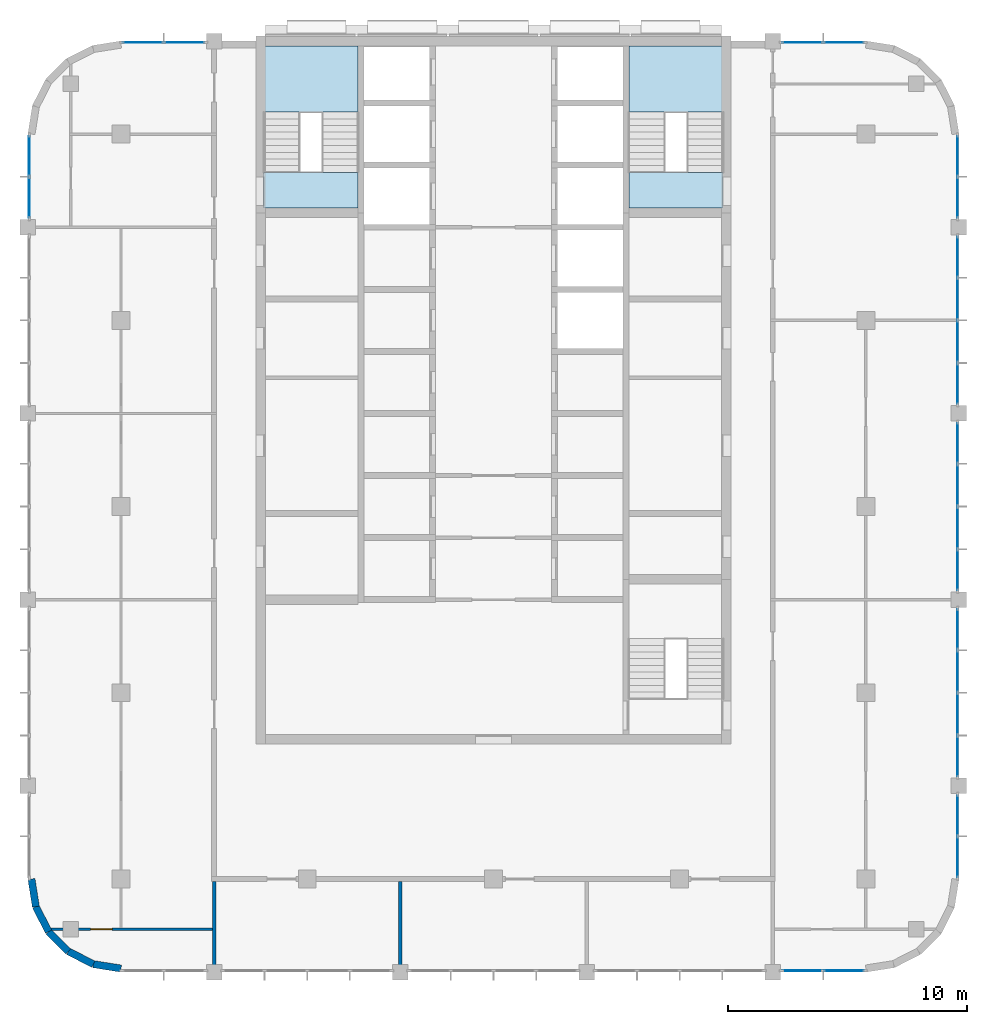
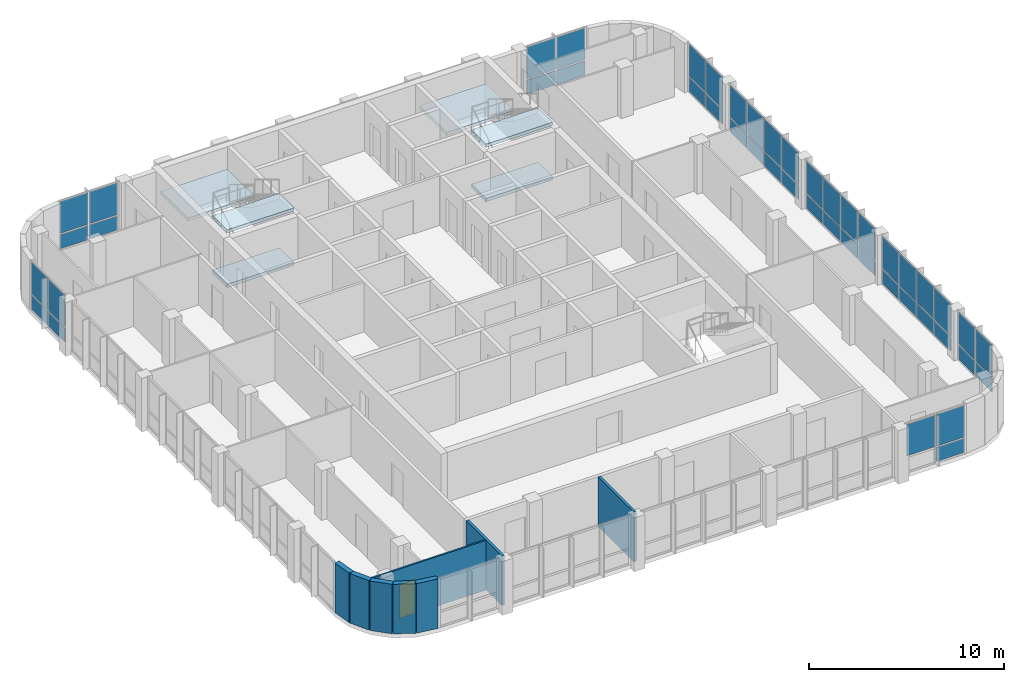
# One storey, part 8 of 17: 47 plates, 8 walls, 6 slabs, 1 door, 1 opening, 11 elements without a shape of their own.
"""IFC4 building model written with IfcOpenShell, lengths in metres."""

from ifc_helpers import new_model, si_unit, direction, frame, frame_2d, origin, origin_2d, place, context, subcontext, project, spatial, polyline, rectangle, outline, extrude, material, layer, layer_set, type_object, element, fill, aggregate, save


model = new_model("IFC4")

# Units and contexts
model_context = context("Model", 3, precision=1e-05, world=origin(), true_north=direction((0.0, 1.0)))
body_context = subcontext(model_context, "Body", "Model", "MODEL_VIEW")
ifc_project = project(units=[si_unit("LENGTHUNIT", "METRE"), si_unit("AREAUNIT", "SQUARE_METRE"), si_unit("VOLUMEUNIT", "CUBIC_METRE"), si_unit("PLANEANGLEUNIT", "RADIAN"), si_unit("MASSUNIT", "GRAM", prefix="KILO")], contexts=[model_context])

# Site, building, storey
site_placement = place(None, origin())
site = spatial("IfcSite", under=ifc_project, at=site_placement, CompositionType="ELEMENT")
building_placement = place(site_placement, origin())
building = spatial("IfcBuilding", under=site, at=building_placement, Name="Ludao Terraces", CompositionType="ELEMENT")
storey_placement = place(building_placement, frame((0.0, 0.0, 263.0)))
storey = spatial("IfcBuildingStorey", under=building, at=storey_placement, Name="L72", CompositionType="ELEMENT", Elevation=263.0)

# Curtain wall, plates
ifc_material_1 = material(Name="Aluminium curtain wall with fritted glass", Category="aluminium")
curtain_wall_type = type_object("IfcCurtainWallType", Name="ENV CW4 lounge glazing", PredefinedType="NOTDEFINED", material=ifc_material_1)
curtain_wall_1_placement = place(storey_placement, origin())
curtain_wall_1 = element("IfcCurtainWall", 1, at=curtain_wall_1_placement, inside=storey, type_object=curtain_wall_type, Name="Sky lounge glazing L72 S5", PredefinedType="NOTDEFINED")
ifc_material_2 = material(Name="Fritted glass panel", Category="glass")
ifc_layer_1 = layer(ifc_material_2, 0.035888671875)
ifc_layer_set_1 = layer_set([ifc_layer_1], Name="ENV CW4 glass panel")
plate_type = type_object("IfcPlateType", Name="ENV CW4 glass panel", PredefinedType="CURTAIN_PANEL", material=ifc_layer_set_1)
plate_1_placement = place(storey_placement, frame((97.938720703125, 45.56005859375, 1.0400390625), z_axis=(0.0, 0.0, 1.0), x_axis=(1.0, 0.0, 0.0)))
plate_1 = element("IfcPlate", 2, at=plate_1_placement, type_object=plate_type, Name="CW4 panel 1.2", PredefinedType="CURTAIN_PANEL", context=body_context, shape_type="SweptSolid", body=[
    extrude(rectangle(XDim=1.66748046875, YDim=0.035888671875, at=origin_2d()), origin(), (0.0, 0.0, 1.0), 1.97998046875),
])
plate_2_placement = place(storey_placement, frame((99.686279296875, 45.56005859375, 0.080078125), z_axis=(0.0, 0.0, 1.0), x_axis=(1.0, 0.0, 0.0)))
plate_2 = element("IfcPlate", 3, at=plate_2_placement, type_object=plate_type, Name="CW4 panel 2.1", PredefinedType="CURTAIN_PANEL", context=body_context, shape_type="SweptSolid", body=[
    extrude(rectangle(XDim=1.66748046875, YDim=0.035888671875, at=origin_2d()), origin(), (0.0, 0.0, 1.0), 0.8798828125),
])
plate_3_placement = place(storey_placement, frame((99.686279296875, 45.56005859375, 1.0400390625), z_axis=(0.0, 0.0, 1.0), x_axis=(1.0, 0.0, 0.0)))
plate_3 = element("IfcPlate", 4, at=plate_3_placement, type_object=plate_type, Name="CW4 panel 2.2", PredefinedType="CURTAIN_PANEL", context=body_context, shape_type="SweptSolid", body=[
    extrude(rectangle(XDim=1.66748046875, YDim=0.035888671875, at=origin_2d()), origin(), (0.0, 0.0, 1.0), 1.97998046875),
])
aggregate(curtain_wall_1, [plate_1, plate_2, plate_3])

curtain_wall_2_placement = place(storey_placement, origin())
curtain_wall_2 = element("IfcCurtainWall", 5, at=curtain_wall_2_placement, inside=storey, type_object=curtain_wall_type, Name="Sky lounge glazing L72 E1", PredefinedType="NOTDEFINED")
plate_4_placement = place(storey_placement, frame((104.43994140625, 50.313720703125, 0.080078125), z_axis=(0.0, 0.0, 1.0), x_axis=(0.0, 1.0, 0.0)))
plate_4 = element("IfcPlate", 6, at=plate_4_placement, type_object=plate_type, Name="CW4 panel 1.1", PredefinedType="CURTAIN_PANEL", context=body_context, shape_type="SweptSolid", body=[
    extrude(rectangle(XDim=1.66748046875, YDim=0.035888671875, at=origin_2d()), origin(), (0.0, 0.0, 1.0), 0.8798828125),
])
plate_5_placement = place(storey_placement, frame((104.43994140625, 50.313720703125, 1.0400390625), z_axis=(0.0, 0.0, 1.0), x_axis=(0.0, 1.0, 0.0)))
plate_5 = element("IfcPlate", 7, at=plate_5_placement, type_object=plate_type, Name="CW4 panel 1.2", PredefinedType="CURTAIN_PANEL", context=body_context, shape_type="SweptSolid", body=[
    extrude(rectangle(XDim=1.66748046875, YDim=0.035888671875, at=origin_2d()), origin(), (0.0, 0.0, 1.0), 1.97998046875),
])
plate_6_placement = place(storey_placement, frame((104.43994140625, 52.061279296875, 0.080078125), z_axis=(0.0, 0.0, 1.0), x_axis=(0.0, 1.0, 0.0)))
plate_6 = element("IfcPlate", 8, at=plate_6_placement, type_object=plate_type, Name="CW4 panel 2.1", PredefinedType="CURTAIN_PANEL", context=body_context, shape_type="SweptSolid", body=[
    extrude(rectangle(XDim=1.66748046875, YDim=0.035888671875, at=origin_2d()), origin(), (0.0, 0.0, 1.0), 0.8798828125),
])
plate_7_placement = place(storey_placement, frame((104.43994140625, 52.061279296875, 1.0400390625), z_axis=(0.0, 0.0, 1.0), x_axis=(0.0, 1.0, 0.0)))
plate_7 = element("IfcPlate", 9, at=plate_7_placement, type_object=plate_type, Name="CW4 panel 2.2", PredefinedType="CURTAIN_PANEL", context=body_context, shape_type="SweptSolid", body=[
    extrude(rectangle(XDim=1.66748046875, YDim=0.035888671875, at=origin_2d()), origin(), (0.0, 0.0, 1.0), 1.97998046875),
])
aggregate(curtain_wall_2, [plate_4, plate_5, plate_6, plate_7])

curtain_wall_3_placement = place(storey_placement, origin())
curtain_wall_3 = element("IfcCurtainWall", 10, at=curtain_wall_3_placement, inside=storey, type_object=curtain_wall_type, Name="Sky lounge glazing L72 E2", PredefinedType="NOTDEFINED")
plate_8_placement = place(storey_placement, frame((104.43994140625, 54.538818359375, 0.080078125), z_axis=(0.0, 0.0, 1.0), x_axis=(0.0, 1.0, 0.0)))
plate_8 = element("IfcPlate", 11, at=plate_8_placement, type_object=plate_type, Name="CW4 panel 1.1", PredefinedType="CURTAIN_PANEL", context=body_context, shape_type="SweptSolid", body=[
    extrude(rectangle(XDim=1.66748046875, YDim=0.035888671875, at=origin_2d()), origin(), (0.0, 0.0, 1.0), 0.8798828125),
])
plate_9_placement = place(storey_placement, frame((104.43994140625, 54.538818359375, 1.0400390625), z_axis=(0.0, 0.0, 1.0), x_axis=(0.0, 1.0, 0.0)))
plate_9 = element("IfcPlate", 12, at=plate_9_placement, type_object=plate_type, Name="CW4 panel 1.2", PredefinedType="CURTAIN_PANEL", context=body_context, shape_type="SweptSolid", body=[
    extrude(rectangle(XDim=1.66748046875, YDim=0.035888671875, at=origin_2d()), origin(), (0.0, 0.0, 1.0), 1.97998046875),
])
plate_10_placement = place(storey_placement, frame((104.43994140625, 56.30615234375, 0.080078125), z_axis=(0.0, 0.0, 1.0), x_axis=(0.0, 1.0, 0.0)))
plate_10 = element("IfcPlate", 13, at=plate_10_placement, type_object=plate_type, Name="CW4 panel 2.1", PredefinedType="CURTAIN_PANEL", context=body_context, shape_type="SweptSolid", body=[
    extrude(rectangle(XDim=1.70751953125, YDim=0.035888671875, at=origin_2d()), origin(), (0.0, 0.0, 1.0), 0.8798828125),
])
plate_11_placement = place(storey_placement, frame((104.43994140625, 56.30615234375, 1.0400390625), z_axis=(0.0, 0.0, 1.0), x_axis=(0.0, 1.0, 0.0)))
plate_11 = element("IfcPlate", 14, at=plate_11_placement, type_object=plate_type, Name="CW4 panel 2.2", PredefinedType="CURTAIN_PANEL", context=body_context, shape_type="SweptSolid", body=[
    extrude(rectangle(XDim=1.70751953125, YDim=0.035888671875, at=origin_2d()), origin(), (0.0, 0.0, 1.0), 1.97998046875),
])
plate_12_placement = place(storey_placement, frame((104.43994140625, 58.09375, 0.080078125), z_axis=(0.0, 0.0, 1.0), x_axis=(0.0, 1.0, 0.0)))
plate_12 = element("IfcPlate", 15, at=plate_12_placement, type_object=plate_type, Name="CW4 panel 3.1", PredefinedType="CURTAIN_PANEL", context=body_context, shape_type="SweptSolid", body=[
    extrude(rectangle(XDim=1.70751953125, YDim=0.035888671875, at=origin_2d()), origin(), (0.0, 0.0, 1.0), 0.8798828125),
])
plate_13_placement = place(storey_placement, frame((104.43994140625, 58.09375, 1.0400390625), z_axis=(0.0, 0.0, 1.0), x_axis=(0.0, 1.0, 0.0)))
plate_13 = element("IfcPlate", 16, at=plate_13_placement, type_object=plate_type, Name="CW4 panel 3.2", PredefinedType="CURTAIN_PANEL", context=body_context, shape_type="SweptSolid", body=[
    extrude(rectangle(XDim=1.70751953125, YDim=0.035888671875, at=origin_2d()), origin(), (0.0, 0.0, 1.0), 1.97998046875),
])
plate_14_placement = place(storey_placement, frame((104.43994140625, 59.861328125, 0.080078125), z_axis=(0.0, 0.0, 1.0), x_axis=(0.0, 1.0, 0.0)))
plate_14 = element("IfcPlate", 17, at=plate_14_placement, type_object=plate_type, Name="CW4 panel 4.1", PredefinedType="CURTAIN_PANEL", context=body_context, shape_type="SweptSolid", body=[
    extrude(rectangle(XDim=1.66748046875, YDim=0.035888671875, at=origin_2d()), origin(), (0.0, 0.0, 1.0), 0.8798828125),
])
plate_15_placement = place(storey_placement, frame((104.43994140625, 59.861328125, 1.0400390625), z_axis=(0.0, 0.0, 1.0), x_axis=(0.0, 1.0, 0.0)))
plate_15 = element("IfcPlate", 18, at=plate_15_placement, type_object=plate_type, Name="CW4 panel 4.2", PredefinedType="CURTAIN_PANEL", context=body_context, shape_type="SweptSolid", body=[
    extrude(rectangle(XDim=1.66748046875, YDim=0.035888671875, at=origin_2d()), origin(), (0.0, 0.0, 1.0), 1.97998046875),
])
aggregate(curtain_wall_3, [plate_8, plate_9, plate_10, plate_11, plate_12, plate_13, plate_14, plate_15])

curtain_wall_4_placement = place(storey_placement, origin())
curtain_wall_4 = element("IfcCurtainWall", 19, at=curtain_wall_4_placement, inside=storey, type_object=curtain_wall_type, Name="Sky lounge glazing L72 E3", PredefinedType="NOTDEFINED")
plate_16_placement = place(storey_placement, frame((104.43994140625, 62.3388671875, 0.080078125), z_axis=(0.0, 0.0, 1.0), x_axis=(0.0, 1.0, 0.0)))
plate_16 = element("IfcPlate", 20, at=plate_16_placement, type_object=plate_type, Name="CW4 panel 1.1", PredefinedType="CURTAIN_PANEL", context=body_context, shape_type="SweptSolid", body=[
    extrude(rectangle(XDim=1.66748046875, YDim=0.035888671875, at=origin_2d()), origin(), (0.0, 0.0, 1.0), 0.8798828125),
])
plate_17_placement = place(storey_placement, frame((104.43994140625, 62.3388671875, 1.0400390625), z_axis=(0.0, 0.0, 1.0), x_axis=(0.0, 1.0, 0.0)))
plate_17 = element("IfcPlate", 21, at=plate_17_placement, type_object=plate_type, Name="CW4 panel 1.2", PredefinedType="CURTAIN_PANEL", context=body_context, shape_type="SweptSolid", body=[
    extrude(rectangle(XDim=1.66748046875, YDim=0.035888671875, at=origin_2d()), origin(), (0.0, 0.0, 1.0), 1.97998046875),
])
plate_18_placement = place(storey_placement, frame((104.43994140625, 64.106201171875, 0.080078125), z_axis=(0.0, 0.0, 1.0), x_axis=(0.0, 1.0, 0.0)))
plate_18 = element("IfcPlate", 22, at=plate_18_placement, type_object=plate_type, Name="CW4 panel 2.1", PredefinedType="CURTAIN_PANEL", context=body_context, shape_type="SweptSolid", body=[
    extrude(rectangle(XDim=1.70751953125, YDim=0.035888671875, at=origin_2d()), origin(), (0.0, 0.0, 1.0), 0.8798828125),
])
plate_19_placement = place(storey_placement, frame((104.43994140625, 64.106201171875, 1.0400390625), z_axis=(0.0, 0.0, 1.0), x_axis=(0.0, 1.0, 0.0)))
plate_19 = element("IfcPlate", 23, at=plate_19_placement, type_object=plate_type, Name="CW4 panel 2.2", PredefinedType="CURTAIN_PANEL", context=body_context, shape_type="SweptSolid", body=[
    extrude(rectangle(XDim=1.70751953125, YDim=0.035888671875, at=origin_2d()), origin(), (0.0, 0.0, 1.0), 1.97998046875),
])
plate_20_placement = place(storey_placement, frame((104.43994140625, 65.893798828125, 0.080078125), z_axis=(0.0, 0.0, 1.0), x_axis=(0.0, 1.0, 0.0)))
plate_20 = element("IfcPlate", 24, at=plate_20_placement, type_object=plate_type, Name="CW4 panel 3.1", PredefinedType="CURTAIN_PANEL", context=body_context, shape_type="SweptSolid", body=[
    extrude(rectangle(XDim=1.70751953125, YDim=0.035888671875, at=origin_2d()), origin(), (0.0, 0.0, 1.0), 0.8798828125),
])
plate_21_placement = place(storey_placement, frame((104.43994140625, 65.893798828125, 1.0400390625), z_axis=(0.0, 0.0, 1.0), x_axis=(0.0, 1.0, 0.0)))
plate_21 = element("IfcPlate", 25, at=plate_21_placement, type_object=plate_type, Name="CW4 panel 3.2", PredefinedType="CURTAIN_PANEL", context=body_context, shape_type="SweptSolid", body=[
    extrude(rectangle(XDim=1.70751953125, YDim=0.035888671875, at=origin_2d()), origin(), (0.0, 0.0, 1.0), 1.97998046875),
])
plate_22_placement = place(storey_placement, frame((104.43994140625, 67.6611328125, 0.080078125), z_axis=(0.0, 0.0, 1.0), x_axis=(0.0, 1.0, 0.0)))
plate_22 = element("IfcPlate", 26, at=plate_22_placement, type_object=plate_type, Name="CW4 panel 4.1", PredefinedType="CURTAIN_PANEL", context=body_context, shape_type="SweptSolid", body=[
    extrude(rectangle(XDim=1.66748046875, YDim=0.035888671875, at=origin_2d()), origin(), (0.0, 0.0, 1.0), 0.8798828125),
])
plate_23_placement = place(storey_placement, frame((104.43994140625, 67.6611328125, 1.0400390625), z_axis=(0.0, 0.0, 1.0), x_axis=(0.0, 1.0, 0.0)))
plate_23 = element("IfcPlate", 27, at=plate_23_placement, type_object=plate_type, Name="CW4 panel 4.2", PredefinedType="CURTAIN_PANEL", context=body_context, shape_type="SweptSolid", body=[
    extrude(rectangle(XDim=1.66748046875, YDim=0.035888671875, at=origin_2d()), origin(), (0.0, 0.0, 1.0), 1.97998046875),
])
aggregate(curtain_wall_4, [plate_16, plate_17, plate_18, plate_19, plate_20, plate_21, plate_22, plate_23])

curtain_wall_5_placement = place(storey_placement, origin())
curtain_wall_5 = element("IfcCurtainWall", 28, at=curtain_wall_5_placement, inside=storey, type_object=curtain_wall_type, Name="Sky lounge glazing L72 E4", PredefinedType="NOTDEFINED")
plate_24_placement = place(storey_placement, frame((104.43994140625, 70.138671875, 0.080078125), z_axis=(0.0, 0.0, 1.0), x_axis=(0.0, 1.0, 0.0)))
plate_24 = element("IfcPlate", 29, at=plate_24_placement, type_object=plate_type, Name="CW4 panel 1.1", PredefinedType="CURTAIN_PANEL", context=body_context, shape_type="SweptSolid", body=[
    extrude(rectangle(XDim=1.66748046875, YDim=0.035888671875, at=origin_2d()), origin(), (0.0, 0.0, 1.0), 0.8798828125),
])
plate_25_placement = place(storey_placement, frame((104.43994140625, 70.138671875, 1.0400390625), z_axis=(0.0, 0.0, 1.0), x_axis=(0.0, 1.0, 0.0)))
plate_25 = element("IfcPlate", 30, at=plate_25_placement, type_object=plate_type, Name="CW4 panel 1.2", PredefinedType="CURTAIN_PANEL", context=body_context, shape_type="SweptSolid", body=[
    extrude(rectangle(XDim=1.66748046875, YDim=0.035888671875, at=origin_2d()), origin(), (0.0, 0.0, 1.0), 1.97998046875),
])
plate_26_placement = place(storey_placement, frame((104.43994140625, 71.90625, 0.080078125), z_axis=(0.0, 0.0, 1.0), x_axis=(0.0, 1.0, 0.0)))
plate_26 = element("IfcPlate", 31, at=plate_26_placement, type_object=plate_type, Name="CW4 panel 2.1", PredefinedType="CURTAIN_PANEL", context=body_context, shape_type="SweptSolid", body=[
    extrude(rectangle(XDim=1.70751953125, YDim=0.035888671875, at=origin_2d()), origin(), (0.0, 0.0, 1.0), 0.8798828125),
])
plate_27_placement = place(storey_placement, frame((104.43994140625, 71.90625, 1.0400390625), z_axis=(0.0, 0.0, 1.0), x_axis=(0.0, 1.0, 0.0)))
plate_27 = element("IfcPlate", 32, at=plate_27_placement, type_object=plate_type, Name="CW4 panel 2.2", PredefinedType="CURTAIN_PANEL", context=body_context, shape_type="SweptSolid", body=[
    extrude(rectangle(XDim=1.70751953125, YDim=0.035888671875, at=origin_2d()), origin(), (0.0, 0.0, 1.0), 1.97998046875),
])
plate_28_placement = place(storey_placement, frame((104.43994140625, 73.69384765625, 0.080078125), z_axis=(0.0, 0.0, 1.0), x_axis=(0.0, 1.0, 0.0)))
plate_28 = element("IfcPlate", 33, at=plate_28_placement, type_object=plate_type, Name="CW4 panel 3.1", PredefinedType="CURTAIN_PANEL", context=body_context, shape_type="SweptSolid", body=[
    extrude(rectangle(XDim=1.70751953125, YDim=0.035888671875, at=origin_2d()), origin(), (0.0, 0.0, 1.0), 0.8798828125),
])
plate_29_placement = place(storey_placement, frame((104.43994140625, 73.69384765625, 1.0400390625), z_axis=(0.0, 0.0, 1.0), x_axis=(0.0, 1.0, 0.0)))
plate_29 = element("IfcPlate", 34, at=plate_29_placement, type_object=plate_type, Name="CW4 panel 3.2", PredefinedType="CURTAIN_PANEL", context=body_context, shape_type="SweptSolid", body=[
    extrude(rectangle(XDim=1.70751953125, YDim=0.035888671875, at=origin_2d()), origin(), (0.0, 0.0, 1.0), 1.97998046875),
])
plate_30_placement = place(storey_placement, frame((104.43994140625, 75.461181640625, 0.080078125), z_axis=(0.0, 0.0, 1.0), x_axis=(0.0, 1.0, 0.0)))
plate_30 = element("IfcPlate", 35, at=plate_30_placement, type_object=plate_type, Name="CW4 panel 4.1", PredefinedType="CURTAIN_PANEL", context=body_context, shape_type="SweptSolid", body=[
    extrude(rectangle(XDim=1.66748046875, YDim=0.035888671875, at=origin_2d()), origin(), (0.0, 0.0, 1.0), 0.8798828125),
])
plate_31_placement = place(storey_placement, frame((104.43994140625, 75.461181640625, 1.0400390625), z_axis=(0.0, 0.0, 1.0), x_axis=(0.0, 1.0, 0.0)))
plate_31 = element("IfcPlate", 36, at=plate_31_placement, type_object=plate_type, Name="CW4 panel 4.2", PredefinedType="CURTAIN_PANEL", context=body_context, shape_type="SweptSolid", body=[
    extrude(rectangle(XDim=1.66748046875, YDim=0.035888671875, at=origin_2d()), origin(), (0.0, 0.0, 1.0), 1.97998046875),
])
aggregate(curtain_wall_5, [plate_24, plate_25, plate_26, plate_27, plate_28, plate_29, plate_30, plate_31])

curtain_wall_6_placement = place(storey_placement, origin())
curtain_wall_6 = element("IfcCurtainWall", 37, at=curtain_wall_6_placement, inside=storey, type_object=curtain_wall_type, Name="Sky lounge glazing L72 E5", PredefinedType="NOTDEFINED")
plate_32_placement = place(storey_placement, frame((104.43994140625, 77.938720703125, 0.080078125), z_axis=(0.0, 0.0, 1.0), x_axis=(0.0, 1.0, 0.0)))
plate_32 = element("IfcPlate", 38, at=plate_32_placement, type_object=plate_type, Name="CW4 panel 1.1", PredefinedType="CURTAIN_PANEL", context=body_context, shape_type="SweptSolid", body=[
    extrude(rectangle(XDim=1.66748046875, YDim=0.035888671875, at=origin_2d()), origin(), (0.0, 0.0, 1.0), 0.8798828125),
])
plate_33_placement = place(storey_placement, frame((104.43994140625, 77.938720703125, 1.0400390625), z_axis=(0.0, 0.0, 1.0), x_axis=(0.0, 1.0, 0.0)))
plate_33 = element("IfcPlate", 39, at=plate_33_placement, type_object=plate_type, Name="CW4 panel 1.2", PredefinedType="CURTAIN_PANEL", context=body_context, shape_type="SweptSolid", body=[
    extrude(rectangle(XDim=1.66748046875, YDim=0.035888671875, at=origin_2d()), origin(), (0.0, 0.0, 1.0), 1.97998046875),
])
plate_34_placement = place(storey_placement, frame((104.43994140625, 79.686279296875, 0.080078125), z_axis=(0.0, 0.0, 1.0), x_axis=(0.0, 1.0, 0.0)))
plate_34 = element("IfcPlate", 40, at=plate_34_placement, type_object=plate_type, Name="CW4 panel 2.1", PredefinedType="CURTAIN_PANEL", context=body_context, shape_type="SweptSolid", body=[
    extrude(rectangle(XDim=1.66748046875, YDim=0.035888671875, at=origin_2d()), origin(), (0.0, 0.0, 1.0), 0.8798828125),
])
plate_35_placement = place(storey_placement, frame((104.43994140625, 79.686279296875, 1.0400390625), z_axis=(0.0, 0.0, 1.0), x_axis=(0.0, 1.0, 0.0)))
plate_35 = element("IfcPlate", 41, at=plate_35_placement, type_object=plate_type, Name="CW4 panel 2.2", PredefinedType="CURTAIN_PANEL", context=body_context, shape_type="SweptSolid", body=[
    extrude(rectangle(XDim=1.66748046875, YDim=0.035888671875, at=origin_2d()), origin(), (0.0, 0.0, 1.0), 1.97998046875),
])
aggregate(curtain_wall_6, [plate_32, plate_33, plate_34, plate_35])

curtain_wall_7_placement = place(storey_placement, origin())
curtain_wall_7 = element("IfcCurtainWall", 42, at=curtain_wall_7_placement, inside=storey, type_object=curtain_wall_type, Name="Sky lounge glazing L72 N1", PredefinedType="NOTDEFINED")
plate_36_placement = place(storey_placement, frame((70.313720703125, 84.43994140625, 0.080078125), z_axis=(0.0, 0.0, 1.0), x_axis=(1.0, 0.0, 0.0)))
plate_36 = element("IfcPlate", 43, at=plate_36_placement, type_object=plate_type, Name="CW4 panel 1.1", PredefinedType="CURTAIN_PANEL", context=body_context, shape_type="SweptSolid", body=[
    extrude(rectangle(XDim=1.66748046875, YDim=0.035888671875, at=origin_2d()), origin(), (0.0, 0.0, 1.0), 0.8798828125),
])
plate_37_placement = place(storey_placement, frame((70.313720703125, 84.43994140625, 1.0400390625), z_axis=(0.0, 0.0, 1.0), x_axis=(1.0, 0.0, 0.0)))
plate_37 = element("IfcPlate", 44, at=plate_37_placement, type_object=plate_type, Name="CW4 panel 1.2", PredefinedType="CURTAIN_PANEL", context=body_context, shape_type="SweptSolid", body=[
    extrude(rectangle(XDim=1.66748046875, YDim=0.035888671875, at=origin_2d()), origin(), (0.0, 0.0, 1.0), 1.97998046875),
])
plate_38_placement = place(storey_placement, frame((72.061279296875, 84.43994140625, 0.080078125), z_axis=(0.0, 0.0, 1.0), x_axis=(1.0, 0.0, 0.0)))
plate_38 = element("IfcPlate", 45, at=plate_38_placement, type_object=plate_type, Name="CW4 panel 2.1", PredefinedType="CURTAIN_PANEL", context=body_context, shape_type="SweptSolid", body=[
    extrude(rectangle(XDim=1.66748046875, YDim=0.035888671875, at=origin_2d()), origin(), (0.0, 0.0, 1.0), 0.8798828125),
])
plate_39_placement = place(storey_placement, frame((72.061279296875, 84.43994140625, 1.0400390625), z_axis=(0.0, 0.0, 1.0), x_axis=(1.0, 0.0, 0.0)))
plate_39 = element("IfcPlate", 46, at=plate_39_placement, type_object=plate_type, Name="CW4 panel 2.2", PredefinedType="CURTAIN_PANEL", context=body_context, shape_type="SweptSolid", body=[
    extrude(rectangle(XDim=1.66748046875, YDim=0.035888671875, at=origin_2d()), origin(), (0.0, 0.0, 1.0), 1.97998046875),
])
aggregate(curtain_wall_7, [plate_36, plate_37, plate_38, plate_39])

curtain_wall_8_placement = place(storey_placement, origin())
curtain_wall_8 = element("IfcCurtainWall", 47, at=curtain_wall_8_placement, inside=storey, type_object=curtain_wall_type, Name="Sky lounge glazing L72 N4", PredefinedType="NOTDEFINED")
plate_40_placement = place(storey_placement, frame((97.938720703125, 84.43994140625, 0.080078125), z_axis=(0.0, 0.0, 1.0), x_axis=(1.0, 0.0, 0.0)))
plate_40 = element("IfcPlate", 48, at=plate_40_placement, type_object=plate_type, Name="CW4 panel 1.1", PredefinedType="CURTAIN_PANEL", context=body_context, shape_type="SweptSolid", body=[
    extrude(rectangle(XDim=1.66748046875, YDim=0.035888671875, at=origin_2d()), origin(), (0.0, 0.0, 1.0), 0.8798828125),
])
plate_41_placement = place(storey_placement, frame((97.938720703125, 84.43994140625, 1.0400390625), z_axis=(0.0, 0.0, 1.0), x_axis=(1.0, 0.0, 0.0)))
plate_41 = element("IfcPlate", 49, at=plate_41_placement, type_object=plate_type, Name="CW4 panel 1.2", PredefinedType="CURTAIN_PANEL", context=body_context, shape_type="SweptSolid", body=[
    extrude(rectangle(XDim=1.66748046875, YDim=0.035888671875, at=origin_2d()), origin(), (0.0, 0.0, 1.0), 1.97998046875),
])
plate_42_placement = place(storey_placement, frame((99.686279296875, 84.43994140625, 0.080078125), z_axis=(0.0, 0.0, 1.0), x_axis=(1.0, 0.0, 0.0)))
plate_42 = element("IfcPlate", 50, at=plate_42_placement, type_object=plate_type, Name="CW4 panel 2.1", PredefinedType="CURTAIN_PANEL", context=body_context, shape_type="SweptSolid", body=[
    extrude(rectangle(XDim=1.66748046875, YDim=0.035888671875, at=origin_2d()), origin(), (0.0, 0.0, 1.0), 0.8798828125),
])
plate_43_placement = place(storey_placement, frame((99.686279296875, 84.43994140625, 1.0400390625), z_axis=(0.0, 0.0, 1.0), x_axis=(1.0, 0.0, 0.0)))
plate_43 = element("IfcPlate", 51, at=plate_43_placement, type_object=plate_type, Name="CW4 panel 2.2", PredefinedType="CURTAIN_PANEL", context=body_context, shape_type="SweptSolid", body=[
    extrude(rectangle(XDim=1.66748046875, YDim=0.035888671875, at=origin_2d()), origin(), (0.0, 0.0, 1.0), 1.97998046875),
])
aggregate(curtain_wall_8, [plate_40, plate_41, plate_42, plate_43])

curtain_wall_9_placement = place(storey_placement, origin())
curtain_wall_9 = element("IfcCurtainWall", 52, at=curtain_wall_9_placement, inside=storey, type_object=curtain_wall_type, Name="Sky lounge glazing L72 W5", PredefinedType="NOTDEFINED")
plate_44_placement = place(storey_placement, frame((65.56005859375, 77.938720703125, 0.080078125), z_axis=(0.0, 0.0, 1.0), x_axis=(0.0, 1.0, 0.0)))
plate_44 = element("IfcPlate", 53, at=plate_44_placement, type_object=plate_type, Name="CW4 panel 1.1", PredefinedType="CURTAIN_PANEL", context=body_context, shape_type="SweptSolid", body=[
    extrude(rectangle(XDim=1.66748046875, YDim=0.035888671875, at=origin_2d()), origin(), (0.0, 0.0, 1.0), 0.8798828125),
])
plate_45_placement = place(storey_placement, frame((65.56005859375, 77.938720703125, 1.0400390625), z_axis=(0.0, 0.0, 1.0), x_axis=(0.0, 1.0, 0.0)))
plate_45 = element("IfcPlate", 54, at=plate_45_placement, type_object=plate_type, Name="CW4 panel 1.2", PredefinedType="CURTAIN_PANEL", context=body_context, shape_type="SweptSolid", body=[
    extrude(rectangle(XDim=1.66748046875, YDim=0.035888671875, at=origin_2d()), origin(), (0.0, 0.0, 1.0), 1.97998046875),
])
plate_46_placement = place(storey_placement, frame((65.56005859375, 79.686279296875, 0.080078125), z_axis=(0.0, 0.0, 1.0), x_axis=(0.0, 1.0, 0.0)))
plate_46 = element("IfcPlate", 55, at=plate_46_placement, type_object=plate_type, Name="CW4 panel 2.1", PredefinedType="CURTAIN_PANEL", context=body_context, shape_type="SweptSolid", body=[
    extrude(rectangle(XDim=1.66748046875, YDim=0.035888671875, at=origin_2d()), origin(), (0.0, 0.0, 1.0), 0.8798828125),
])
plate_47_placement = place(storey_placement, frame((65.56005859375, 79.686279296875, 1.0400390625), z_axis=(0.0, 0.0, 1.0), x_axis=(0.0, 1.0, 0.0)))
plate_47 = element("IfcPlate", 56, at=plate_47_placement, type_object=plate_type, Name="CW4 panel 2.2", PredefinedType="CURTAIN_PANEL", context=body_context, shape_type="SweptSolid", body=[
    extrude(rectangle(XDim=1.66748046875, YDim=0.035888671875, at=origin_2d()), origin(), (0.0, 0.0, 1.0), 1.97998046875),
])
aggregate(curtain_wall_9, [plate_44, plate_45, plate_46, plate_47])

# Stair, slabs
ifc_material_3 = material(Name="Concrete C40", Category="concrete")
stair_type = type_object("IfcStairType", Name="INT Stair", PredefinedType="HALF_TURN_STAIR", material=ifc_material_3)
stair_1_placement = place(storey_placement, origin())
stair_1 = element("IfcStair", 57, at=stair_1_placement, inside=storey, type_object=stair_type, Name="EXIT STAIR 1", PredefinedType="HALF_TURN_STAIR")
ifc_layer_2 = layer(ifc_material_3, 0.199951171875)
ifc_layer_set_2 = layer_set([ifc_layer_2], Name="INT Stair landing 200")
slab_type = type_object("IfcSlabType", Name="INT Stair landing 200", PredefinedType="LANDING", material=ifc_layer_set_2)
slab_1_placement = place(storey_placement, frame((0.0, 0.0, 1.5)))
slab_1 = element("IfcSlab", 58, at=slab_1_placement, type_object=slab_type, Name="ST1 landing 1", PredefinedType="LANDING", context=body_context, shape_type="SweptSolid", body=[
    extrude(outline(polyline([(75.375, 81.52001953125), (79.324951171875, 81.52001953125), (79.324951171875, 84.300048828125), (75.375, 84.300048828125), (75.375, 81.52001953125)])), origin(), (0.0, 0.0, 1.0), 0.199951171875),
])
slab_2_placement = place(storey_placement, frame((0.0, 0.0, -0.199951171875)))
slab_2 = element("IfcSlab", 59, at=slab_2_placement, type_object=slab_type, Name="ST1 landing 2", PredefinedType="LANDING", context=body_context, shape_type="SweptSolid", body=[
    extrude(outline(polyline([(75.375, 77.5), (79.324951171875, 77.5), (79.324951171875, 79.0), (75.375, 79.0), (75.375, 77.5)])), origin(), (0.0, 0.0, 1.0), 0.199951171875),
])
slab_3_placement = place(storey_placement, frame((0.0, 0.0, 3.199951171875)))
slab_3 = element("IfcSlab", 60, at=slab_3_placement, type_object=slab_type, Name="ST1 landing 3", PredefinedType="LANDING", context=body_context, shape_type="SweptSolid", body=[
    extrude(outline(polyline([(75.375, 77.5), (79.324951171875, 77.5), (79.324951171875, 79.0), (75.375, 79.0), (75.375, 77.5)])), origin(), (0.0, 0.0, 1.0), 0.199951171875),
])
aggregate(stair_1, [slab_1, slab_2, slab_3])

stair_2_placement = place(storey_placement, origin())
stair_2 = element("IfcStair", 61, at=stair_2_placement, inside=storey, type_object=stair_type, Name="EXIT STAIR 2", PredefinedType="HALF_TURN_STAIR")
slab_4_placement = place(storey_placement, frame((0.0, 0.0, 1.5)))
slab_4 = element("IfcSlab", 62, at=slab_4_placement, type_object=slab_type, Name="ST2 landing 1", PredefinedType="LANDING", context=body_context, shape_type="SweptSolid", body=[
    extrude(outline(polyline([(90.675048828125, 81.52001953125), (94.625, 81.52001953125), (94.625, 84.300048828125), (90.675048828125, 84.300048828125), (90.675048828125, 81.52001953125)])), origin(), (0.0, 0.0, 1.0), 0.199951171875),
])
slab_5_placement = place(storey_placement, frame((0.0, 0.0, -0.199951171875)))
slab_5 = element("IfcSlab", 63, at=slab_5_placement, type_object=slab_type, Name="ST2 landing 2", PredefinedType="LANDING", context=body_context, shape_type="SweptSolid", body=[
    extrude(outline(polyline([(90.675048828125, 77.5), (94.625, 77.5), (94.625, 79.0), (90.675048828125, 79.0), (90.675048828125, 77.5)])), origin(), (0.0, 0.0, 1.0), 0.199951171875),
])
slab_6_placement = place(storey_placement, frame((0.0, 0.0, 3.199951171875)))
slab_6 = element("IfcSlab", 64, at=slab_6_placement, type_object=slab_type, Name="ST2 landing 3", PredefinedType="LANDING", context=body_context, shape_type="SweptSolid", body=[
    extrude(outline(polyline([(90.675048828125, 77.5), (94.625, 77.5), (94.625, 79.0), (90.675048828125, 79.0), (90.675048828125, 77.5)])), origin(), (0.0, 0.0, 1.0), 0.199951171875),
])
aggregate(stair_2, [slab_4, slab_5, slab_6])

# Walls
ifc_material_4 = material(Name="Granite cladding", Category="masonry")
ifc_layer_3 = layer(ifc_material_4, 0.0400390625, Category="stone")
ifc_material_5 = material(Name="Mineral wool")
ifc_layer_4 = layer(ifc_material_5, 0.06005859375)
ifc_layer_5 = layer(ifc_material_3, 0.199951171875, Category="concrete")
ifc_layer_set_3 = layer_set([ifc_layer_3, ifc_layer_4, ifc_layer_5], Name="ENV Stone-clad wall 300")
wall_type_1 = type_object("IfcWallType", Name="ENV Stone-clad wall 300", PredefinedType="SOLIDWALL", material=ifc_layer_set_3)
wall_1_placement = place(storey_placement, frame((65.64990234375, 49.39990234375, 0.0), z_axis=(0.0, 0.0, 1.0), x_axis=(0.156496880861, -0.987678452879, 0.0)))
element("IfcWall", 65, at=wall_1_placement, inside=storey, type_object=wall_type_1, Name="EW-L72-SW1", PredefinedType="SOLIDWALL", context=body_context, shape_type="SweptSolid", body=[
    extrude(rectangle(XDim=1.173095703125, YDim=0.300048828125, at=frame_2d((0.58642578125, 0.0))), origin(), (0.0, 0.0, 1.0), 3.10009765625),
])
wall_2_placement = place(storey_placement, frame((65.83349609375, 48.2412109375, 0.0), z_axis=(0.0, 0.0, 1.0), x_axis=(0.454025524128, -0.890988677504, 0.0)))
element("IfcWall", 66, at=wall_2_placement, inside=storey, type_object=wall_type_1, Name="EW-L72-SW2", PredefinedType="SOLIDWALL", context=body_context, shape_type="SweptSolid", body=[
    extrude(rectangle(XDim=1.17333984375, YDim=0.300048828125, at=frame_2d((0.586669921875, 0.0))), origin(), (0.0, 0.0, 1.0), 3.10009765625),
])
wall_3_placement = place(storey_placement, frame((66.3662109375, 47.19580078125, 0.0), z_axis=(0.0, 0.0, 1.0), x_axis=(0.707106781187, -0.707106781187, 0.0)))
element("IfcWall", 67, at=wall_3_placement, inside=storey, type_object=wall_type_1, Name="EW-L72-SW3", PredefinedType="SOLIDWALL", context=body_context, shape_type="SweptSolid", body=[
    extrude(rectangle(XDim=1.173095703125, YDim=0.300048828125, at=frame_2d((0.58642578125, 0.0))), origin(), (0.0, 0.0, 1.0), 3.10009765625),
])
wall_4_placement = place(storey_placement, frame((67.19580078125, 46.3662109375, 0.0), z_axis=(0.0, 0.0, 1.0), x_axis=(0.890988677504, -0.454025524128, 0.0)))
element("IfcWall", 68, at=wall_4_placement, inside=storey, type_object=wall_type_1, Name="EW-L72-SW4", PredefinedType="SOLIDWALL", context=body_context, shape_type="SweptSolid", body=[
    extrude(rectangle(XDim=1.17333984375, YDim=0.300048828125, at=frame_2d((0.586669921875, 0.0))), origin(), (0.0, 0.0, 1.0), 3.10009765625),
])
wall_5_placement = place(storey_placement, frame((68.2412109375, 45.83349609375, 0.0), z_axis=(0.0, 0.0, 1.0), x_axis=(0.987678452879, -0.156496880861, 0.0)))
element("IfcWall", 69, at=wall_5_placement, inside=storey, type_object=wall_type_1, Name="EW-L72-SW5", PredefinedType="SOLIDWALL", context=body_context, shape_type="SweptSolid", body=[
    extrude(rectangle(XDim=1.173095703125, YDim=0.300048828125, at=frame_2d((0.58642578125, 0.0))), origin(), (0.0, 0.0, 1.0), 3.10009765625),
])

# Wall, opening, door
ifc_material_6 = material(Name="Gypsum plasterboard", Category="gypsum")
ifc_layer_6 = layer(ifc_material_6, 0.012451171875, Category="gypsum")
ifc_layer_7 = layer(ifc_material_5, 0.06005859375, Name="insulation")
ifc_material_7 = material(Name="Steel Q235", Category="steel")
ifc_layer_8 = layer(ifc_material_7, 0.014892578125, Name="stud")
ifc_layer_9 = layer(ifc_material_6, 0.012451171875, Category="gypsum")
ifc_layer_set_4 = layer_set([ifc_layer_6, ifc_layer_7, ifc_layer_8, ifc_layer_9], Name="INT Partition 100")
wall_type_2 = type_object("IfcWallType", Name="INT Partition 100", PredefinedType="PARTITIONING", material=ifc_layer_set_4)
wall_6_placement = place(storey_placement, frame((66.409912109375, 47.300048828125, 0.0), z_axis=(0.0, 0.0, 1.0), x_axis=(1.0, 0.0, 0.0)))
wall_6 = element("IfcWall", 70, at=wall_6_placement, inside=storey, type_object=wall_type_2, Name="PW-L72-PW000", PredefinedType="PARTITIONING", context=body_context, shape_type="SweptSolid", body=[
    extrude(rectangle(XDim=6.965087890625, YDim=0.10009765625, at=frame_2d((3.482421875, 0.0))), origin(), (0.0, 0.0, 1.0), 3.10009765625),
])
opening_placement = place(wall_6_placement, frame((1.718994140625, 0.0, 0.0)))
opening = element("IfcOpeningElement", 71, at=opening_placement, cuts=wall_6, Name="Opening T1-001", PredefinedType="OPENING", context=body_context, shape_type="SweptSolid", body=[
    extrude(rectangle(XDim=0.89990234375, YDim=2.10009765625, at=frame_2d((0.449951171875, 1.050048828125))), frame((0.0, 0.06005859375, 0.0), z_axis=(0.0, -1.0, 0.0), x_axis=(1.0, 0.0, 0.0)), (0.0, 0.0, 1.0), 0.1201171875),
])
ifc_material_8 = material(Name="Timber door leaf", Category="wood")
door_type = type_object("IfcDoorType", Name="INT Room door 900", OperationType="SINGLE_SWING_LEFT", PredefinedType="DOOR", material=ifc_material_8)
door_placement = place(opening_placement, origin())
door = element("IfcDoor", 72, at=door_placement, inside=storey, type_object=door_type, Name="DOOR 001", OperationType="SINGLE_SWING_RIGHT", OverallHeight=2.10009765625, OverallWidth=0.89990234375, PredefinedType="DOOR", context=body_context, shape_type="SweptSolid", body=[
    extrude(rectangle(XDim=0.89990234375, YDim=2.10009765625, at=frame_2d((0.449951171875, 1.050048828125))), frame((0.0, 0.02490234375, 0.0), z_axis=(0.0, -1.0, 0.0), x_axis=(1.0, 0.0, 0.0)), (0.0, 0.0, 1.0), 0.050048828125),
])
fill(opening, door)

# Walls
ifc_material_9 = material(Name="Autoclaved aerated concrete block B06 A3.5", Category="concrete")
ifc_layer_10 = layer(ifc_material_9, 0.14990234375)
ifc_layer_set_5 = layer_set([ifc_layer_10], Name="INT Party wall 150")
wall_type_3 = type_object("IfcWallType", Name="INT Party wall 150", PredefinedType="PARTITIONING", material=ifc_layer_set_5)
for number, where, z_axis, x_axis, name in (
    (73, (73.300048828125, 45.635009765625, 0.0), (0.0, 0.0, 1.0), (0.0, 1.0, 0.0), "PW-L72-PW019"),
    (74, (81.10009765625, 45.635009765625, 0.0), (0.0, 0.0, 1.0), (0.0, 1.0, 0.0), "PW-L72-PW021"),
):
    element("IfcWall", number, at=place(storey_placement, frame(where, z_axis=z_axis, x_axis=x_axis)), inside=storey, type_object=wall_type_3, Name=name, PredefinedType="PARTITIONING", context=body_context, shape_type="SweptSolid", body=[
        extrude(rectangle(XDim=3.6650390625, YDim=0.14990234375, at=frame_2d((1.83251953125, 0.0))), origin(), (0.0, 0.0, 1.0), 3.10009765625),
    ])

save(model, "model.ifc")
